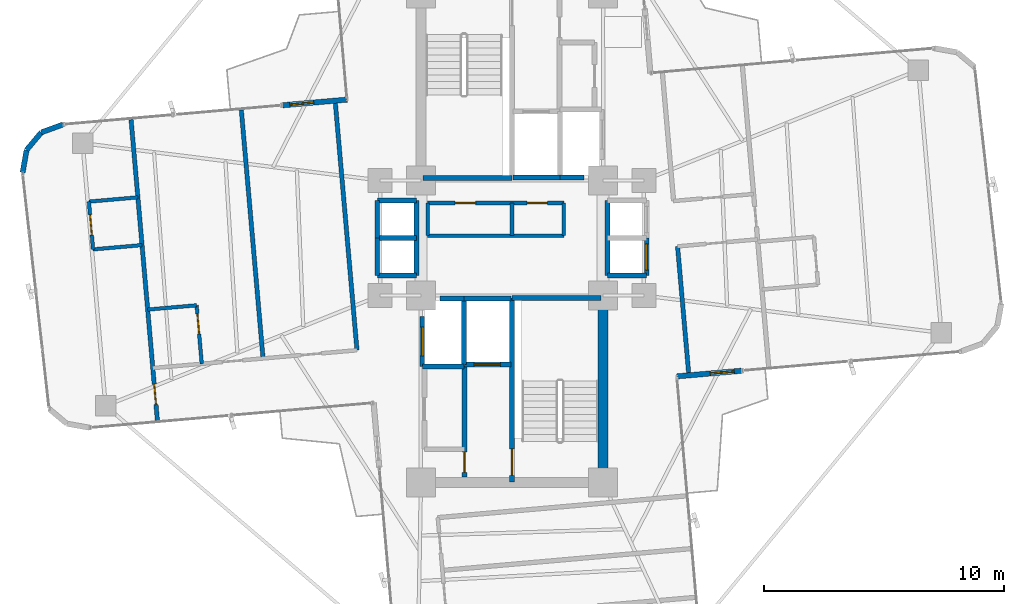
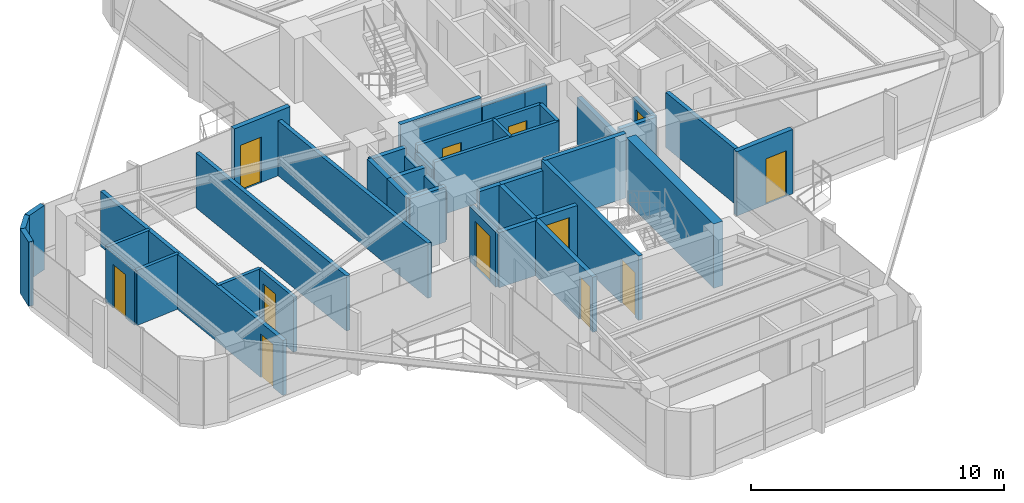
# One storey, part 21 of 24: 41 walls, 12 doors, 12 openings.
"""IFC4 building model written with IfcOpenShell, lengths in metres."""

from ifc_helpers import new_model, si_unit, direction, frame, frame_2d, origin, origin_2d, place, context, subcontext, project, spatial, rectangle, extrude, source, transform, mapped, material, layer, layer_set, type_object, element, fill, save


model = new_model("IFC4")

# Units and contexts
model_context = context("Model", 3, precision=1e-05, world=origin(), true_north=direction((0.0, 1.0)))
body_context = subcontext(model_context, "Body", "Model", "MODEL_VIEW")
ifc_project = project(units=[si_unit("LENGTHUNIT", "METRE"), si_unit("AREAUNIT", "SQUARE_METRE"), si_unit("VOLUMEUNIT", "CUBIC_METRE"), si_unit("PLANEANGLEUNIT", "RADIAN"), si_unit("MASSUNIT", "GRAM", prefix="KILO")], contexts=[model_context])

# Site, building, storey
site_placement = place(None, origin())
site = spatial("IfcSite", under=ifc_project, at=site_placement, CompositionType="ELEMENT")
building_placement = place(site_placement, origin())
building = spatial("IfcBuilding", under=site, at=building_placement, Name="Sahyath Konkavel Grand Hotel", CompositionType="ELEMENT")
storey_placement = place(building_placement, frame((0.0, 0.0, 147.25)))
storey = spatial("IfcBuildingStorey", under=building, at=storey_placement, Name="L40", CompositionType="ELEMENT", Elevation=147.25)

# Wall
ifc_material_1 = material(Name="Concrete C50/60", Category="concrete")
ifc_layer_1 = layer(ifc_material_1, 0.419921875)
ifc_layer_set_1 = layer_set([ifc_layer_1], Name="Concrete C50/60")
wall_type_1 = type_object("IfcWallType", Name="CWALL-420", PredefinedType="SHEAR", material=ifc_layer_set_1)
wall_1_placement = place(storey_placement, frame((3.800048828125, -9.75, 0.0), z_axis=(0.0, 0.0, 1.0), x_axis=(0.0, 1.0, 0.0)))
element("IfcWall", 1, at=wall_1_placement, inside=storey, type_object=wall_type_1, Name="L40 South Core Shear Wall E", PredefinedType="SHEAR", context=body_context, shape_type="SweptSolid", body=[
    extrude(rectangle(XDim=6.89990234375, YDim=0.419921875, at=frame_2d((3.449951171875, 0.0))), origin(), (0.0, 0.0, 1.0), 3.110107421875),
])

# Wall, opening, door
ifc_material_2 = material(Name="Warm Buff Sandstone Insulated Concrete C40/50", Category="masonry")
ifc_layer_2 = layer(ifc_material_2, 0.219970703125)
ifc_layer_set_2 = layer_set([ifc_layer_2], Name="Warm Buff Sandstone Insulated Concrete C40/50")
wall_type_2 = type_object("IfcWallType", Name="WLL-BALC-THRESH", PredefinedType="STANDARD", material=ifc_layer_set_2)
wall_2_placement = place(storey_placement, frame((6.87939453125, -5.7724609375, 0.0), z_axis=(0.0, 0.0, 1.0), x_axis=(0.996193619346, 0.087168071984, 0.0)))
wall_2 = element("IfcWall", 2, at=wall_2_placement, inside=storey, type_object=wall_type_2, Name="L40 Winter-Garden Threshold Wall 0", PredefinedType="STANDARD", context=body_context, shape_type="SweptSolid", body=[
    extrude(rectangle(XDim=2.699951171875, YDim=0.219970703125, at=frame_2d((1.35009765625, 0.0))), origin(), (0.0, 0.0, 1.0), 3.110107421875),
])
opening_1_placement = place(wall_2_placement, frame((1.39990234375, 0.0, 0.0)))
opening_1 = element("IfcOpeningElement", 3, at=opening_1_placement, cuts=wall_2, Name="Opening D-TR1", PredefinedType="OPENING", context=body_context, shape_type="SweptSolid", body=[
    extrude(rectangle(XDim=1.0, YDim=2.199951171875, at=frame_2d((0.5, 1.10009765625))), frame((0.0, 0.1201171875, 0.0), z_axis=(0.0, -1.0, 0.0), x_axis=(1.0, 0.0, 0.0)), (0.0, 0.0, 1.0), 0.239990234375),
])
ifc_material_3 = material(Name="Anodised Bronze Aluminium & Low-E Glazing", Category="aluminium")
door_type_1 = type_object("IfcDoorType", Name="DR-TERRACE-1000", OperationType="NOTDEFINED", PredefinedType="DOOR", material=ifc_material_3)
shared_shape_1 = source(origin(), body_context, "Body", "SweptSolid", [
    extrude(rectangle(XDim=1.0, YDim=0.050048828125, at=origin_2d()), origin(), (0.0, 0.0, 1.0), 2.199951171875),
])
door_1_placement = place(opening_1_placement, frame((0.5, 0.0, 0.0)))
door_1 = element("IfcDoor", 4, at=door_1_placement, inside=storey, type_object=door_type_1, Name="L40 Winter-Garden Terrace Door 0", OperationType="SINGLE_SWING_LEFT", OverallHeight=2.199951171875, OverallWidth=1.0, PredefinedType="DOOR", context=body_context, shape_type="MappedRepresentation", body=[
    mapped(shared_shape_1, transform((0.0, 0.0, 0.0), scale=1.0)),
])
fill(opening_1, door_1)

wall_3_placement = place(storey_placement, frame((-6.87939453125, 5.7724609375, 0.0), z_axis=(0.0, 0.0, 1.0), x_axis=(-0.996193619346, -0.087168071984, 0.0)))
wall_3 = element("IfcWall", 5, at=wall_3_placement, inside=storey, type_object=wall_type_2, Name="L40 Winter-Garden Threshold Wall 16", PredefinedType="STANDARD", context=body_context, shape_type="SweptSolid", body=[
    extrude(rectangle(XDim=2.699951171875, YDim=0.219970703125, at=frame_2d((1.35009765625, 0.0))), origin(), (0.0, 0.0, 1.0), 3.110107421875),
])
opening_2_placement = place(wall_3_placement, frame((1.39990234375, 0.0, 0.0)))
opening_2 = element("IfcOpeningElement", 6, at=opening_2_placement, cuts=wall_3, Name="Opening D-TR1", PredefinedType="OPENING", context=body_context, shape_type="SweptSolid", body=[
    extrude(rectangle(XDim=1.0, YDim=2.199951171875, at=frame_2d((0.5, 1.10009765625))), frame((0.0, 0.1201171875, 0.0), z_axis=(0.0, -1.0, 0.0), x_axis=(1.0, 0.0, 0.0)), (0.0, 0.0, 1.0), 0.239990234375),
])
door_2_placement = place(opening_2_placement, frame((0.5, 0.0, 0.0)))
door_2 = element("IfcDoor", 7, at=door_2_placement, inside=storey, type_object=door_type_1, Name="L40 Winter-Garden Terrace Door 16", OperationType="SINGLE_SWING_LEFT", OverallHeight=2.199951171875, OverallWidth=1.0, PredefinedType="DOOR", context=body_context, shape_type="MappedRepresentation", body=[
    mapped(shared_shape_1, transform((0.0, 0.0, 0.0), scale=1.0)),
])
fill(opening_2, door_2)

# Walls
wall_4_placement = place(storey_placement, frame((-18.73388671875, 4.735107421875, 0.0), z_axis=(0.0, 0.0, 1.0), x_axis=(-0.939741306239, -0.34188635151, 0.0)))
element("IfcWall", 8, at=wall_4_placement, inside=storey, type_object=wall_type_2, Name="L40 Rounded Corner Sandstone Pier 17", PredefinedType="STANDARD", context=body_context, shape_type="SweptSolid", body=[
    extrude(rectangle(XDim=0.95751953125, YDim=0.219970703125, at=frame_2d((0.478759765625, 0.0))), origin(), (0.0, 0.0, 1.0), 3.110107421875),
])
for number, where, z_axis, x_axis, name in (
    (9, (-19.6337890625, 4.40771484375, 0.0), (0.0, 0.0, 1.0), (-0.642863236823, -0.765980978054, 0.0), "L40 Rounded Corner Sandstone Pier 18"),
    (10, (-20.24951171875, 3.674072265625, 0.0), (0.0, 0.0, 1.0), (-0.173610811841, -0.984814340885, 0.0), "L40 Rounded Corner Sandstone Pier 19"),
):
    element("IfcWall", number, at=place(storey_placement, frame(where, z_axis=z_axis, x_axis=x_axis)), inside=storey, type_object=wall_type_2, Name=name, PredefinedType="STANDARD", context=body_context, shape_type="SweptSolid", body=[
        extrude(rectangle(XDim=0.957763671875, YDim=0.219970703125, at=frame_2d((0.47900390625, 0.0))), origin(), (0.0, 0.0, 1.0), 3.110107421875),
    ])
ifc_material_4 = material(Name="Concrete C40/50", Category="concrete")
ifc_layer_3 = layer(ifc_material_4, 0.199951171875)
ifc_layer_set_3 = layer_set([ifc_layer_3], Name="Concrete C40/50")
wall_type_3 = type_object("IfcWallType", Name="WLL-CORE-200", PredefinedType="SOLIDWALL", material=ifc_layer_set_3)
wall_5_placement = place(storey_placement, frame((-3.719970703125, 2.5, 0.0), z_axis=(0.0, 0.0, 1.0), x_axis=(1.0, 0.0, 0.0)))
element("IfcWall", 11, at=wall_5_placement, inside=storey, type_object=wall_type_3, Name="L40 Stair ST-1 Shaft Wall S", PredefinedType="SOLIDWALL", context=body_context, shape_type="SweptSolid", body=[
    extrude(rectangle(XDim=3.719970703125, YDim=0.199951171875, at=frame_2d((1.85986328125, 0.0))), origin(), (0.0, 0.0, 1.0), 3.110107421875),
])

# Wall, opening, door
wall_6_placement = place(storey_placement, frame((0.0, -10.179931640625, 0.0), z_axis=(0.0, 0.0, 1.0), x_axis=(0.0, 1.0, 0.0)))
wall_6 = element("IfcWall", 12, at=wall_6_placement, inside=storey, type_object=wall_type_3, Name="L40 Stair ST-2 Shaft Wall W", PredefinedType="SOLIDWALL", context=body_context, shape_type="SweptSolid", body=[
    extrude(rectangle(XDim=7.679931640625, YDim=0.199951171875, at=frame_2d((3.83984375, 0.0))), origin(), (0.0, 0.0, 1.0), 3.110107421875),
])
opening_3_placement = place(wall_6_placement, frame((0.280029296875, 0.0, 0.0)))
opening_3 = element("IfcOpeningElement", 13, at=opening_3_placement, cuts=wall_6, Name="Opening D-F12B", PredefinedType="OPENING", context=body_context, shape_type="SweptSolid", body=[
    extrude(rectangle(XDim=1.10009765625, YDim=2.14990234375, at=frame_2d((0.550048828125, 1.074951171875))), frame((0.0, 0.10986328125, 0.0), z_axis=(0.0, -1.0, 0.0), x_axis=(1.0, 0.0, 0.0)), (0.0, 0.0, 1.0), 0.219970703125),
])
ifc_material_5 = material(Name="Steel E350 Smokeproof Fire Door", Category="steel")
door_type_2 = type_object("IfcDoorType", Name="DR-FD120-1100", OperationType="NOTDEFINED", PredefinedType="DOOR", material=ifc_material_5)
shared_shape_2 = source(origin(), body_context, "Body", "SweptSolid", [
    extrude(rectangle(XDim=1.10009765625, YDim=0.050048828125, at=origin_2d()), origin(), (0.0, 0.0, 1.0), 2.14990234375),
])
door_3_placement = place(opening_3_placement, frame((0.550048828125, 0.0, 0.0)))
door_3 = element("IfcDoor", 14, at=door_3_placement, inside=storey, type_object=door_type_2, Name="L40 Stair ST-2 Fire Door", OperationType="SINGLE_SWING_LEFT", OverallHeight=2.14990234375, OverallWidth=1.10009765625, PredefinedType="DOOR", context=body_context, shape_type="MappedRepresentation", body=[
    mapped(shared_shape_2, transform((0.0, 0.0, 0.0), scale=1.0)),
])
fill(opening_3, door_3)

# Wall
wall_7_placement = place(storey_placement, frame((0.0, -2.5, 0.0), z_axis=(0.0, 0.0, 1.0), x_axis=(1.0, 0.0, 0.0)))
element("IfcWall", 15, at=wall_7_placement, inside=storey, type_object=wall_type_3, Name="L40 Stair ST-2 Shaft Wall N", PredefinedType="SOLIDWALL", context=body_context, shape_type="SweptSolid", body=[
    extrude(rectangle(XDim=3.719970703125, YDim=0.199951171875, at=frame_2d((1.85986328125, 0.0))), origin(), (0.0, 0.0, 1.0), 3.110107421875),
])

# Wall, opening, door
wall_8_placement = place(storey_placement, frame((-1.97998046875, -9.97998046875, 0.0), z_axis=(0.0, 0.0, 1.0), x_axis=(0.0, 1.0, 0.0)))
wall_8 = element("IfcWall", 16, at=wall_8_placement, inside=storey, type_object=wall_type_3, Name="L40 South Firefighting Lobby Wall W", PredefinedType="SOLIDWALL", context=body_context, shape_type="SweptSolid", body=[
    extrude(rectangle(XDim=4.659912109375, YDim=0.199951171875, at=frame_2d((2.330078125, 0.0))), origin(), (0.0, 0.0, 1.0), 2.659912109375),
])
opening_4_placement = place(wall_8_placement, frame((0.199951171875, 0.0, 0.0)))
opening_4 = element("IfcOpeningElement", 17, at=opening_4_placement, cuts=wall_8, Name="Opening D-F12D", PredefinedType="OPENING", context=body_context, shape_type="SweptSolid", body=[
    extrude(rectangle(XDim=0.85009765625, YDim=2.10009765625, at=frame_2d((0.425048828125, 1.050048828125))), frame((0.0, 0.10986328125, 0.0), z_axis=(0.0, -1.0, 0.0), x_axis=(1.0, 0.0, 0.0)), (0.0, 0.0, 1.0), 0.219970703125),
])
ifc_material_6 = material(Name="Steel E350 Core Fire Door", Category="steel")
door_type_3 = type_object("IfcDoorType", Name="DR-FD120-850", OperationType="NOTDEFINED", PredefinedType="DOOR", material=ifc_material_6)
shared_shape_3 = source(origin(), body_context, "Body", "SweptSolid", [
    extrude(rectangle(XDim=0.85009765625, YDim=0.050048828125, at=origin_2d()), origin(), (0.0, 0.0, 1.0), 2.10009765625),
])
door_4_placement = place(opening_4_placement, frame((0.425048828125, 0.0, 0.0)))
door_4 = element("IfcDoor", 18, at=door_4_placement, inside=storey, type_object=door_type_3, Name="L40 South Firefighting Lobby Door", OperationType="SINGLE_SWING_LEFT", OverallHeight=2.10009765625, OverallWidth=0.85009765625, PredefinedType="DOOR", context=body_context, shape_type="MappedRepresentation", body=[
    mapped(shared_shape_3, transform((0.0, 0.0, 0.0), scale=1.0)),
])
fill(opening_4, door_4)

# Walls
wall_9_placement = place(storey_placement, frame((0.050048828125, 2.52001953125, 0.0), z_axis=(0.0, 0.0, 1.0), x_axis=(1.0, 0.0, 0.0)))
element("IfcWall", 19, at=wall_9_placement, inside=storey, type_object=wall_type_3, Name="L40 Partition SH-FFL1-S", PredefinedType="SOLIDWALL", context=body_context, shape_type="SweptSolid", body=[
    extrude(rectangle(XDim=1.949951171875, YDim=0.199951171875, at=frame_2d((0.97509765625, 0.0))), origin(), (0.0, 0.0, 1.0), 2.659912109375),
])
wall_10_placement = place(storey_placement, frame((-2.0, -5.280029296875, 0.0), z_axis=(0.0, 0.0, 1.0), x_axis=(0.0, 1.0, 0.0)))
element("IfcWall", 20, at=wall_10_placement, inside=storey, type_object=wall_type_3, Name="L40 Partition SH-FFL2-W", PredefinedType="SOLIDWALL", context=body_context, shape_type="SweptSolid", body=[
    extrude(rectangle(XDim=2.780029296875, YDim=0.199951171875, at=frame_2d((1.39013671875, 0.0))), origin(), (0.0, 0.0, 1.0), 2.659912109375),
])
wall_11_placement = place(storey_placement, frame((-2.0, -2.52001953125, 0.0), z_axis=(0.0, 0.0, 1.0), x_axis=(1.0, 0.0, 0.0)))
element("IfcWall", 21, at=wall_11_placement, inside=storey, type_object=wall_type_3, Name="L40 Partition SH-FFL2-N", PredefinedType="SOLIDWALL", context=body_context, shape_type="SweptSolid", body=[
    extrude(rectangle(XDim=1.949951171875, YDim=0.199951171875, at=frame_2d((0.97509765625, 0.0))), origin(), (0.0, 0.0, 1.0), 2.659912109375),
])

# Wall, opening, door
wall_12_placement = place(storey_placement, frame((-1.97998046875, -5.280029296875, 0.0), z_axis=(0.0, 0.0, 1.0), x_axis=(1.0, 0.0, 0.0)))
wall_12 = element("IfcWall", 22, at=wall_12_placement, inside=storey, type_object=wall_type_3, Name="L40 Partition SH-FFL2-S", PredefinedType="SOLIDWALL", context=body_context, shape_type="SweptSolid", body=[
    extrude(rectangle(XDim=1.929931640625, YDim=0.199951171875, at=frame_2d((0.96484375, 0.0))), origin(), (0.0, 0.0, 1.0), 2.659912109375),
])
opening_5_placement = place(wall_12_placement, frame((0.39990234375, 0.0, 0.0)))
opening_5 = element("IfcOpeningElement", 23, at=opening_5_placement, cuts=wall_12, Name="Opening LD-11", PredefinedType="OPENING", context=body_context, shape_type="SweptSolid", body=[
    extrude(rectangle(XDim=1.10009765625, YDim=2.199951171875, at=frame_2d((0.550048828125, 1.10009765625))), frame((0.0, 0.10986328125, 0.0), z_axis=(0.0, -1.0, 0.0), x_axis=(1.0, 0.0, 0.0)), (0.0, 0.0, 1.0), 0.219970703125),
])
ifc_material_7 = material(Name="Bronze Lift Landing Door 1100")
door_type_4 = type_object("IfcDoorType", Name="DR-LIFT-1100", OperationType="DOUBLE_DOOR_SLIDING", PredefinedType="DOOR", material=ifc_material_7)
shared_shape_4 = source(origin(), body_context, "Body", "SweptSolid", [
    extrude(rectangle(XDim=1.10009765625, YDim=0.050048828125, at=origin_2d()), origin(), (0.0, 0.0, 1.0), 2.199951171875),
])
door_5_placement = place(opening_5_placement, frame((0.550048828125, 0.0, 0.0)))
door_5 = element("IfcDoor", 24, at=door_5_placement, inside=storey, type_object=door_type_4, Name="L40 Lift FFL-2 Landing Door", OperationType="DOUBLE_DOOR_SLIDING", OverallHeight=2.199951171875, OverallWidth=1.10009765625, PredefinedType="DOOR", context=body_context, shape_type="MappedRepresentation", body=[
    mapped(shared_shape_4, transform((0.0, 0.0, 0.0), scale=1.0)),
])
fill(opening_5, door_5)

# Walls
for number, where, z_axis, x_axis, name in (
    (25, (2.0, 2.52001953125, 0.0), (0.0, 0.0, 1.0), (1.0, 0.0, 0.0), "L40 Partition SH-SVL1-S"),
    (26, (-3.0, -2.52001953125, 0.0), (0.0, 0.0, 1.0), (1.0, 0.0, 0.0), "L40 Partition SH-SVL2-N"),
):
    element("IfcWall", number, at=place(storey_placement, frame(where, z_axis=z_axis, x_axis=x_axis)), inside=storey, type_object=wall_type_3, Name=name, PredefinedType="SOLIDWALL", context=body_context, shape_type="SweptSolid", body=[
        extrude(rectangle(XDim=1.0, YDim=0.199951171875, at=frame_2d((0.5, 0.0))), origin(), (0.0, 0.0, 1.0), 2.659912109375),
    ])
wall_13_placement = place(storey_placement, frame((-3.739990234375, -5.360107421875, 0.0), z_axis=(0.0, 0.0, 1.0), x_axis=(1.0, 0.0, 0.0)))
element("IfcWall", 27, at=wall_13_placement, inside=storey, type_object=wall_type_3, Name="L40 Partition SH-SVL2-S", PredefinedType="SOLIDWALL", context=body_context, shape_type="SweptSolid", body=[
    extrude(rectangle(XDim=1.739990234375, YDim=0.199951171875, at=frame_2d((0.8701171875, 0.0))), origin(), (0.0, 0.0, 1.0), 2.659912109375),
])

# Wall, opening, door
wall_14_placement = place(storey_placement, frame((-3.739990234375, -5.360107421875, 0.0), z_axis=(0.0, 0.0, 1.0), x_axis=(0.0, 1.0, 0.0)))
wall_14 = element("IfcWall", 28, at=wall_14_placement, inside=storey, type_object=wall_type_3, Name="L40 Partition SH-SVL2-W", PredefinedType="SOLIDWALL", context=body_context, shape_type="SweptSolid", body=[
    extrude(rectangle(XDim=2.080078125, YDim=0.199951171875, at=frame_2d((1.0400390625, 0.0))), origin(), (0.0, 0.0, 1.0), 2.659912109375),
])
opening_6_placement = place(wall_14_placement, frame((0.43994140625, 0.0, 0.0)))
opening_6 = element("IfcOpeningElement", 29, at=opening_6_placement, cuts=wall_14, Name="Opening LD-12", PredefinedType="OPENING", context=body_context, shape_type="SweptSolid", body=[
    extrude(rectangle(XDim=1.199951171875, YDim=2.199951171875, at=frame_2d((0.60009765625, 1.10009765625))), frame((0.0, 0.10986328125, 0.0), z_axis=(0.0, -1.0, 0.0), x_axis=(1.0, 0.0, 0.0)), (0.0, 0.0, 1.0), 0.219970703125),
])
ifc_material_8 = material(Name="Stainless Steel Lift Landing Door 1200", Category="steel")
door_type_5 = type_object("IfcDoorType", Name="DR-LIFT-1200", OperationType="DOUBLE_DOOR_SLIDING", PredefinedType="DOOR", material=ifc_material_8)
shared_shape_5 = source(origin(), body_context, "Body", "SweptSolid", [
    extrude(rectangle(XDim=1.199951171875, YDim=0.050048828125, at=origin_2d()), origin(), (0.0, 0.0, 1.0), 2.199951171875),
])
door_6_placement = place(opening_6_placement, frame((0.60009765625, 0.0, 0.0)))
door_6 = element("IfcDoor", 30, at=door_6_placement, inside=storey, type_object=door_type_5, Name="L40 Service Lift SVL-2 Landing Door", OperationType="DOUBLE_DOOR_SLIDING", OverallHeight=2.199951171875, OverallWidth=1.199951171875, PredefinedType="DOOR", context=body_context, shape_type="MappedRepresentation", body=[
    mapped(shared_shape_5, transform((0.0, 0.0, 0.0), scale=1.0)),
])
fill(opening_6, door_6)

# Walls
wall_15_placement = place(storey_placement, frame((3.97998046875, -1.56005859375, 0.0), z_axis=(0.0, 0.0, 1.0), x_axis=(0.0, 1.0, 0.0)))
element("IfcWall", 31, at=wall_15_placement, inside=storey, type_object=wall_type_3, Name="L40 Partition SH-PL56-W", PredefinedType="SOLIDWALL", context=body_context, shape_type="SweptSolid", body=[
    extrude(rectangle(XDim=3.1201171875, YDim=0.199951171875, at=frame_2d((1.56005859375, 0.0))), origin(), (0.0, 0.0, 1.0), 2.280029296875),
])
wall_16_placement = place(storey_placement, frame((3.97998046875, -1.56005859375, 0.0), z_axis=(0.0, 0.0, 1.0), x_axis=(1.0, 0.0, 0.0)))
element("IfcWall", 32, at=wall_16_placement, inside=storey, type_object=wall_type_3, Name="L40 Partition SH-PL56-S", PredefinedType="SOLIDWALL", context=body_context, shape_type="SweptSolid", body=[
    extrude(rectangle(XDim=1.64013671875, YDim=0.199951171875, at=frame_2d((0.820068359375, 0.0))), origin(), (0.0, 0.0, 1.0), 2.659912109375),
])

# Wall, opening, door
wall_17_placement = place(storey_placement, frame((5.6201171875, -1.56005859375, 0.0), z_axis=(0.0, 0.0, 1.0), x_axis=(0.0, 1.0, 0.0)))
wall_17 = element("IfcWall", 33, at=wall_17_placement, inside=storey, type_object=wall_type_3, Name="L40 Partition SH-PL6-E", PredefinedType="SOLIDWALL", context=body_context, shape_type="SweptSolid", body=[
    extrude(rectangle(XDim=1.56005859375, YDim=0.199951171875, at=frame_2d((0.780029296875, 0.0))), origin(), (0.0, 0.0, 1.0), 2.659912109375),
])
opening_7_placement = place(wall_17_placement, frame((0.219970703125, 0.0, 0.0)))
opening_7 = element("IfcOpeningElement", 34, at=opening_7_placement, cuts=wall_17, Name="Opening LD-11", PredefinedType="OPENING", context=body_context, shape_type="SweptSolid", body=[
    extrude(rectangle(XDim=1.10009765625, YDim=2.199951171875, at=frame_2d((0.550048828125, 1.10009765625))), frame((0.0, 0.10986328125, 0.0), z_axis=(0.0, -1.0, 0.0), x_axis=(1.0, 0.0, 0.0)), (0.0, 0.0, 1.0), 0.219970703125),
])
door_7_placement = place(opening_7_placement, frame((0.550048828125, 0.0, 0.0)))
door_7 = element("IfcDoor", 35, at=door_7_placement, inside=storey, type_object=door_type_4, Name="L40 High-Rise Lift PL-6 Landing Door", OperationType="DOUBLE_DOOR_SLIDING", OverallHeight=2.199951171875, OverallWidth=1.10009765625, PredefinedType="DOOR", context=body_context, shape_type="MappedRepresentation", body=[
    mapped(shared_shape_4, transform((0.0, 0.0, 0.0), scale=1.0)),
])
fill(opening_7, door_7)

# Walls
wall_18_placement = place(storey_placement, frame((-3.97998046875, -1.56005859375, 0.0), z_axis=(0.0, 0.0, 1.0), x_axis=(0.0, 1.0, 0.0)))
element("IfcWall", 36, at=wall_18_placement, inside=storey, type_object=wall_type_3, Name="L40 Partition SH-SL12-E", PredefinedType="SOLIDWALL", context=body_context, shape_type="SweptSolid", body=[
    extrude(rectangle(XDim=3.1201171875, YDim=0.199951171875, at=frame_2d((1.56005859375, 0.0))), origin(), (0.0, 0.0, 1.0), 2.280029296875),
])
for number, where, z_axis, x_axis, name in (
    (37, (-5.6201171875, 1.56005859375, 0.0), (0.0, 0.0, 1.0), (1.0, 0.0, 0.0), "L40 Partition SH-SL12-N"),
    (38, (-5.6201171875, -1.56005859375, 0.0), (0.0, 0.0, 1.0), (1.0, 0.0, 0.0), "L40 Partition SH-SL12-S"),
    (39, (-5.6201171875, 0.0, 0.0), (0.0, 0.0, 1.0), (1.0, 0.0, 0.0), "L40 Partition SH-SL12-M"),
):
    element("IfcWall", number, at=place(storey_placement, frame(where, z_axis=z_axis, x_axis=x_axis)), inside=storey, type_object=wall_type_3, Name=name, PredefinedType="SOLIDWALL", context=body_context, shape_type="SweptSolid", body=[
        extrude(rectangle(XDim=1.64013671875, YDim=0.199951171875, at=frame_2d((0.820068359375, 0.0))), origin(), (0.0, 0.0, 1.0), 2.659912109375),
    ])
for number, where, z_axis, x_axis, name in (
    (40, (-5.6201171875, 0.0, 0.0), (0.0, 0.0, 1.0), (0.0, 1.0, 0.0), "L40 Partition SH-SL1-W"),
    (41, (-5.6201171875, -1.56005859375, 0.0), (0.0, 0.0, 1.0), (0.0, 1.0, 0.0), "L40 Partition SH-SL2-W"),
):
    element("IfcWall", number, at=place(storey_placement, frame(where, z_axis=z_axis, x_axis=x_axis)), inside=storey, type_object=wall_type_3, Name=name, PredefinedType="SOLIDWALL", context=body_context, shape_type="SweptSolid", body=[
        extrude(rectangle(XDim=1.56005859375, YDim=0.199951171875, at=frame_2d((0.780029296875, 0.0))), origin(), (0.0, 0.0, 1.0), 2.659912109375),
    ])
ifc_material_9 = material(Name="Twin-Stud Acoustic Gypsum Plasterboard Partition")
ifc_layer_4 = layer(ifc_material_9, 0.179931640625)
ifc_layer_set_4 = layer_set([ifc_layer_4], Name="Twin-Stud Acoustic Gypsum Plasterboard Partition")
wall_type_4 = type_object("IfcWallType", Name="WLL-DEMISE-180", PredefinedType="PARTITIONING", material=ifc_layer_set_4)
wall_19_placement = place(storey_placement, frame((7.373046875, -5.678955078125, 0.0), z_axis=(0.0, 0.0, 1.0), x_axis=(-0.087161289348, 0.996194212812, 0.0)))
element("IfcWall", 42, at=wall_19_placement, inside=storey, type_object=wall_type_4, Name="L40 Partition E-INR", PredefinedType="PARTITIONING", context=body_context, shape_type="SweptSolid", body=[
    extrude(rectangle(XDim=5.349853515625, YDim=0.179931640625, at=frame_2d((2.6748046875, 0.0))), origin(), (0.0, 0.0, 1.0), 2.659912109375),
])
for number, where, z_axis, x_axis, name in (
    (43, (-7.373046875, 5.678955078125, 0.0), (0.0, 0.0, 1.0), (0.087163455754, -0.996194023261, 0.0), "L40 Partition W-G5I"),
    (44, (-10.384521484375, -5.024169921875, 0.0), (0.0, 0.0, 1.0), (-0.087163455754, 0.996194023261, 0.0), "L40 Partition W-WD1-DEM"),
):
    element("IfcWall", number, at=place(storey_placement, frame(where, z_axis=z_axis, x_axis=x_axis)), inside=storey, type_object=wall_type_4, Name=name, PredefinedType="PARTITIONING", context=body_context, shape_type="SweptSolid", body=[
        extrude(rectangle(XDim=10.39990234375, YDim=0.179931640625, at=frame_2d((5.199951171875, 0.0))), origin(), (0.0, 0.0, 1.0), 2.659912109375),
    ])

# Wall, opening, door
wall_20_placement = place(storey_placement, frame((-15.890380859375, 4.933837890625, 0.0), z_axis=(0.0, 0.0, 1.0), x_axis=(0.087154691724, -0.996194790044, 0.0)))
wall_20 = element("IfcWall", 45, at=wall_20_placement, inside=storey, type_object=wall_type_4, Name="L40 Partition W-WTIP-END", PredefinedType="PARTITIONING", context=body_context, shape_type="SweptSolid", body=[
    extrude(rectangle(XDim=12.599853515625, YDim=0.179931640625, at=frame_2d((6.2998046875, 0.0))), origin(), (0.0, 0.0, 1.0), 2.659912109375),
])
opening_8_placement = place(wall_20_placement, frame((11.074951171875, 0.0, 0.0)))
opening_8 = element("IfcOpeningElement", 46, at=opening_8_placement, cuts=wall_20, Name="Opening D-F06D", PredefinedType="OPENING", context=body_context, shape_type="SweptSolid", body=[
    extrude(rectangle(XDim=0.85009765625, YDim=2.10009765625, at=frame_2d((0.425048828125, 1.050048828125))), frame((0.0, 0.10009765625, 0.0), z_axis=(0.0, -1.0, 0.0), x_axis=(1.0, 0.0, 0.0)), (0.0, 0.0, 1.0), 0.199951171875),
])
ifc_material_10 = material(Name="Fire-Rated Shaft Access Door")
door_type_6 = type_object("IfcDoorType", Name="DR-FD60-850", OperationType="NOTDEFINED", PredefinedType="DOOR", material=ifc_material_10)
door_8_placement = place(opening_8_placement, frame((0.425048828125, 0.0, 0.0)))
door_8 = element("IfcDoor", 47, at=door_8_placement, inside=storey, type_object=door_type_6, Name="L40 Door W-WTIP-ED", OperationType="SINGLE_SWING_RIGHT", OverallHeight=2.10009765625, OverallWidth=0.85009765625, PredefinedType="DOOR", context=body_context, shape_type="MappedRepresentation", body=[
    mapped(shared_shape_3, transform((0.0, 0.0, 0.0), scale=1.0)),
])
fill(opening_8, door_8)

# Wall
ifc_material_11 = material(Name="Fire-Rated Gypsum Plasterboard Partition")
ifc_layer_5 = layer(ifc_material_11, 0.14990234375)
ifc_layer_set_5 = layer_set([ifc_layer_5], Name="Fire-Rated Gypsum Plasterboard Partition")
wall_type_5 = type_object("IfcWallType", Name="WLL-PART-150", PredefinedType="PARTITIONING", material=ifc_layer_set_5)
wall_21_placement = place(storey_placement, frame((-3.52001953125, 0.10009765625, 0.0), z_axis=(0.0, 0.0, 1.0), x_axis=(1.0, 0.0, 0.0)))
element("IfcWall", 48, at=wall_21_placement, inside=storey, type_object=wall_type_5, Name="L40 Partition CC-S0-FIX", PredefinedType="PARTITIONING", context=body_context, shape_type="SweptSolid", body=[
    extrude(rectangle(XDim=5.679931640625, YDim=0.14990234375, at=frame_2d((2.83984375, 0.0))), origin(), (0.0, 0.0, 1.0), 2.659912109375),
])

# Wall, openings, doors
wall_22_placement = place(storey_placement, frame((-3.52001953125, 1.4599609375, 0.0), z_axis=(0.0, 0.0, 1.0), x_axis=(1.0, 0.0, 0.0)))
wall_22 = element("IfcWall", 49, at=wall_22_placement, inside=storey, type_object=wall_type_5, Name="L40 Partition CC-N0", PredefinedType="PARTITIONING", context=body_context, shape_type="SweptSolid", body=[
    extrude(rectangle(XDim=5.679931640625, YDim=0.14990234375, at=frame_2d((2.83984375, 0.0))), origin(), (0.0, 0.0, 1.0), 2.659912109375),
])
opening_9_placement = place(wall_22_placement, frame((1.14990234375, 0.0, 0.0)))
opening_9 = element("IfcOpeningElement", 50, at=opening_9_placement, cuts=wall_22, Name="Opening D-F06D", PredefinedType="OPENING", context=body_context, shape_type="SweptSolid", body=[
    extrude(rectangle(XDim=0.85009765625, YDim=2.10009765625, at=frame_2d((0.425048828125, 1.050048828125))), frame((0.0, 0.0849609375, 0.0), z_axis=(0.0, -1.0, 0.0), x_axis=(1.0, 0.0, 0.0)), (0.0, 0.0, 1.0), 0.169921875),
])
opening_10_placement = place(wall_22_placement, frame((4.14990234375, 0.0, 0.0)))
opening_10 = element("IfcOpeningElement", 51, at=opening_10_placement, cuts=wall_22, Name="Opening D-F06D", PredefinedType="OPENING", context=body_context, shape_type="SweptSolid", body=[
    extrude(rectangle(XDim=0.85009765625, YDim=2.10009765625, at=frame_2d((0.425048828125, 1.050048828125))), frame((0.0, 0.0849609375, 0.0), z_axis=(0.0, -1.0, 0.0), x_axis=(1.0, 0.0, 0.0)), (0.0, 0.0, 1.0), 0.169921875),
])
door_9_placement = place(opening_9_placement, frame((0.425048828125, 0.0, 0.0)))
door_9 = element("IfcDoor", 52, at=door_9_placement, inside=storey, type_object=door_type_6, Name="L40 Door CC-D0A", OperationType="SINGLE_SWING_RIGHT", OverallHeight=2.10009765625, OverallWidth=0.85009765625, PredefinedType="DOOR", context=body_context, shape_type="MappedRepresentation", body=[
    mapped(shared_shape_3, transform((0.0, 0.0, 0.0), scale=1.0)),
])
fill(opening_9, door_9)
door_10_placement = place(opening_10_placement, frame((0.425048828125, 0.0, 0.0)))
door_10 = element("IfcDoor", 53, at=door_10_placement, inside=storey, type_object=door_type_6, Name="L40 Door CC-D0B", OperationType="SINGLE_SWING_LEFT", OverallHeight=2.10009765625, OverallWidth=0.85009765625, PredefinedType="DOOR", context=body_context, shape_type="MappedRepresentation", body=[
    mapped(shared_shape_3, transform((0.0, 0.0, 0.0), scale=1.0)),
])
fill(opening_10, door_10)

# Walls
wall_23_placement = place(storey_placement, frame((-3.52001953125, 0.10009765625, 0.0), z_axis=(0.0, 0.0, 1.0), x_axis=(0.0, 1.0, 0.0)))
element("IfcWall", 54, at=wall_23_placement, inside=storey, type_object=wall_type_5, Name="L40 Partition CC-W0", PredefinedType="PARTITIONING", context=body_context, shape_type="SweptSolid", body=[
    extrude(rectangle(XDim=1.35986328125, YDim=0.14990234375, at=frame_2d((0.679931640625, 0.0))), origin(), (0.0, 0.0, 1.0), 2.280029296875),
])
for number, where, z_axis, x_axis, name in (
    (55, (2.159912109375, 0.10009765625, 0.0), (0.0, 0.0, 1.0), (0.0, 1.0, 0.0), "L40 Partition CC-E0"),
    (56, (0.0, 0.10009765625, 0.0), (0.0, 0.0, 1.0), (0.0, 1.0, 0.0), "L40 Partition CC-M0"),
):
    element("IfcWall", number, at=place(storey_placement, frame(where, z_axis=z_axis, x_axis=x_axis)), inside=storey, type_object=wall_type_5, Name=name, PredefinedType="PARTITIONING", context=body_context, shape_type="SweptSolid", body=[
        extrude(rectangle(XDim=1.35986328125, YDim=0.14990234375, at=frame_2d((0.679931640625, 0.0))), origin(), (0.0, 0.0, 1.0), 2.659912109375),
    ])

# Wall, opening, door
wall_24_placement = place(storey_placement, frame((-12.94189453125, -5.247802734375, 0.0), z_axis=(0.0, 0.0, 1.0), x_axis=(-0.087201565829, 0.99619068803, 0.0)))
wall_24 = element("IfcWall", 57, at=wall_24_placement, inside=storey, type_object=wall_type_5, Name="L40 Partition W-WD2-BS", PredefinedType="PARTITIONING", context=body_context, shape_type="SweptSolid", body=[
    extrude(rectangle(XDim=2.44970703125, YDim=0.14990234375, at=frame_2d((1.224853515625, 0.0))), origin(), (0.0, 0.0, 1.0), 2.659912109375),
])
opening_11_placement = place(wall_24_placement, frame((1.25, 0.0, 0.0)))
opening_11 = element("IfcOpeningElement", 58, at=opening_11_placement, cuts=wall_24, Name="Opening D-BT85", PredefinedType="OPENING", context=body_context, shape_type="SweptSolid", body=[
    extrude(rectangle(XDim=0.85009765625, YDim=2.10009765625, at=frame_2d((0.425048828125, 1.050048828125))), frame((0.0, 0.0849609375, 0.0), z_axis=(0.0, -1.0, 0.0), x_axis=(1.0, 0.0, 0.0)), (0.0, 0.0, 1.0), 0.169921875),
])
ifc_material_12 = material(Name="Moisture-Resistant Teak Bathroom Door")
door_type_7 = type_object("IfcDoorType", Name="DR-BATH-850", OperationType="NOTDEFINED", PredefinedType="DOOR", material=ifc_material_12)
door_11_placement = place(opening_11_placement, frame((0.425048828125, 0.0, 0.0)))
door_11 = element("IfcDoor", 59, at=door_11_placement, inside=storey, type_object=door_type_7, Name="L40 Door W-WD2-BD", OperationType="SINGLE_SWING_LEFT", OverallHeight=2.10009765625, OverallWidth=0.85009765625, PredefinedType="DOOR", context=body_context, shape_type="MappedRepresentation", body=[
    mapped(shared_shape_3, transform((0.0, 0.0, 0.0), scale=1.0)),
])
fill(opening_11, door_11)

# Walls
wall_25_placement = place(storey_placement, frame((-13.155517578125, -2.807373046875, 0.0), z_axis=(0.0, 0.0, 1.0), x_axis=(-0.99620250363, -0.087066478976, 0.0)))
element("IfcWall", 60, at=wall_25_placement, inside=storey, type_object=wall_type_5, Name="L40 Partition W-WD2-BF", PredefinedType="PARTITIONING", context=body_context, shape_type="SweptSolid", body=[
    extrude(rectangle(XDim=2.0498046875, YDim=0.14990234375, at=frame_2d((1.02490234375, 0.0))), origin(), (0.0, 0.0, 1.0), 2.659912109375),
])
for number, where, z_axis, x_axis, name in (
    (61, (-15.432861328125, -0.296142578125, 0.0), (0.0, 0.0, 1.0), (-0.99619307114, -0.087174336889, 0.0), "L40 Partition W-WTIP-BN"),
    (62, (-15.607177734375, 1.6962890625, 0.0), (0.0, 0.0, 1.0), (-0.99619307114, -0.087174336889, 0.0), "L40 Partition W-WTIP-BS"),
):
    element("IfcWall", number, at=place(storey_placement, frame(where, z_axis=z_axis, x_axis=x_axis)), inside=storey, type_object=wall_type_5, Name=name, PredefinedType="PARTITIONING", context=body_context, shape_type="SweptSolid", body=[
        extrude(rectangle(XDim=2.050048828125, YDim=0.14990234375, at=frame_2d((1.02490234375, 0.0))), origin(), (0.0, 0.0, 1.0), 2.659912109375),
    ])

# Wall, opening, door
wall_26_placement = place(storey_placement, frame((-17.6494140625, 1.517578125, 0.0), z_axis=(0.0, 0.0, 1.0), x_axis=(0.087156350505, -0.99619464492, 0.0)))
wall_26 = element("IfcWall", 63, at=wall_26_placement, inside=storey, type_object=wall_type_5, Name="L40 Partition W-WTIP-BE", PredefinedType="PARTITIONING", context=body_context, shape_type="SweptSolid", body=[
    extrude(rectangle(XDim=2.0, YDim=0.14990234375, at=frame_2d((1.0, 0.0))), origin(), (0.0, 0.0, 1.0), 2.6298828125),
])
opening_12_placement = place(wall_26_placement, frame((0.550048828125, 0.0, 0.0)))
opening_12 = element("IfcOpeningElement", 64, at=opening_12_placement, cuts=wall_26, Name="Opening D-BT85", PredefinedType="OPENING", context=body_context, shape_type="SweptSolid", body=[
    extrude(rectangle(XDim=0.85009765625, YDim=2.10009765625, at=frame_2d((0.425048828125, 1.050048828125))), frame((0.0, 0.0849609375, 0.0), z_axis=(0.0, -1.0, 0.0), x_axis=(1.0, 0.0, 0.0)), (0.0, 0.0, 1.0), 0.169921875),
])
door_12_placement = place(opening_12_placement, frame((0.425048828125, 0.0, 0.0)))
door_12 = element("IfcDoor", 65, at=door_12_placement, inside=storey, type_object=door_type_7, Name="L40 Door W-WTIP-BD", OperationType="SINGLE_SWING_LEFT", OverallHeight=2.10009765625, OverallWidth=0.85009765625, PredefinedType="DOOR", context=body_context, shape_type="MappedRepresentation", body=[
    mapped(shared_shape_3, transform((0.0, 0.0, 0.0), scale=1.0)),
])
fill(opening_12, door_12)

save(model, "model.ifc")
